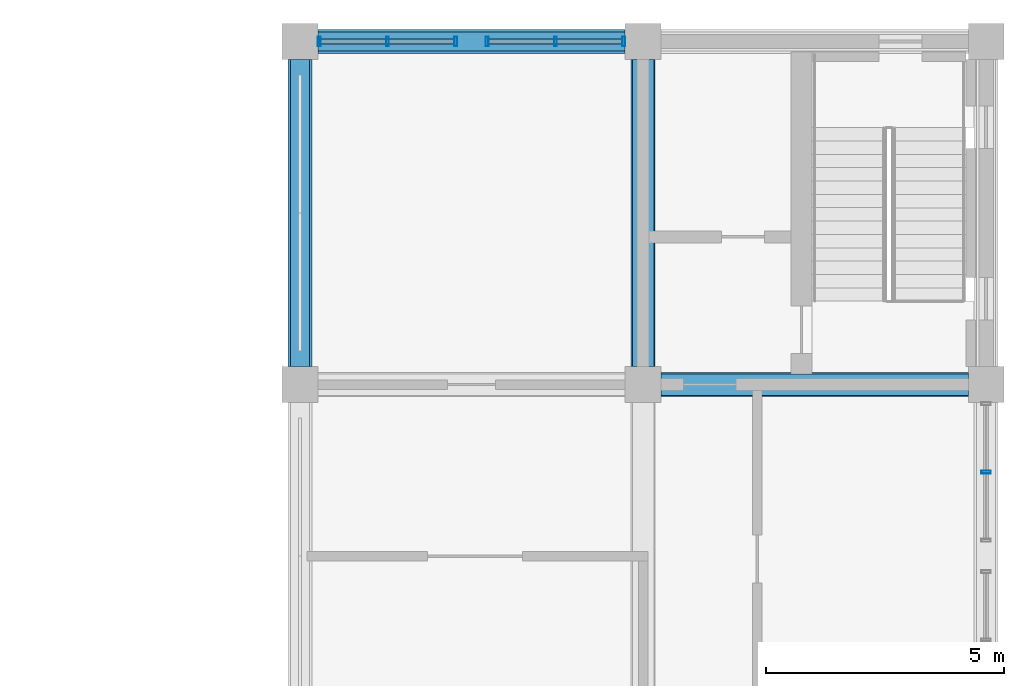
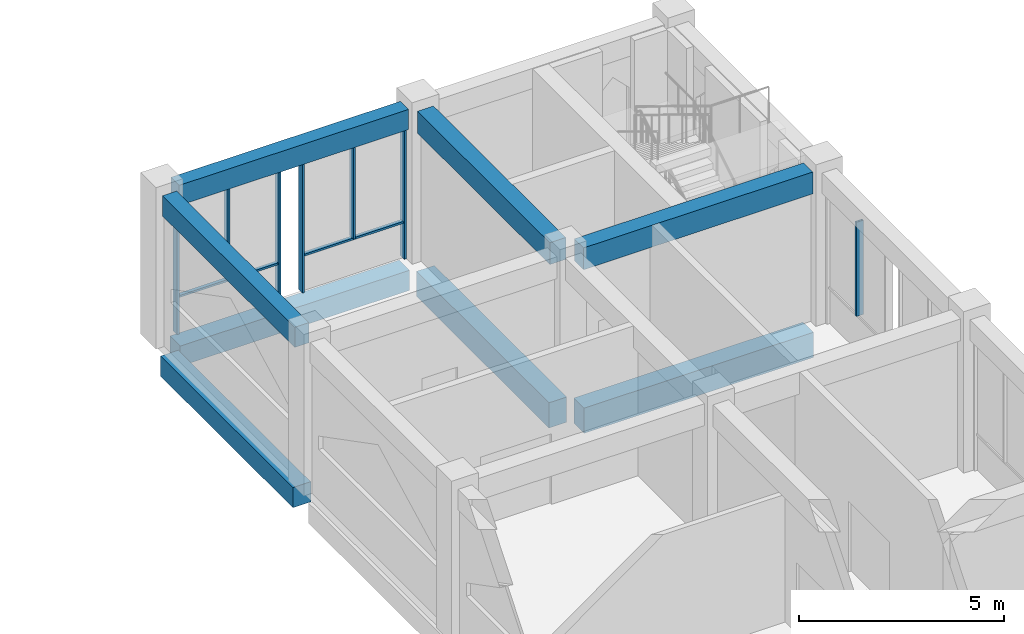
# One storey, part 22 of 39: 9 members, 8 beams, 3 elements without a shape of their own.
"""IFC4 building model written with IfcOpenShell, lengths in metres."""

from ifc_helpers import new_model, si_unit, direction, frame, origin, origin_2d, place, context, subcontext, project, spatial, rectangle, hollow_rectangle, extrude, material, material_profile, profile_set, type_object, element, aggregate, save


model = new_model("IFC4")

# Units and contexts
model_context = context("Model", 3, precision=1e-05, world=origin(), true_north=direction((0.0, 1.0)))
body_context = subcontext(model_context, "Body", "Model", "MODEL_VIEW")
ifc_project = project(units=[si_unit("LENGTHUNIT", "METRE"), si_unit("AREAUNIT", "SQUARE_METRE"), si_unit("VOLUMEUNIT", "CUBIC_METRE"), si_unit("PLANEANGLEUNIT", "RADIAN"), si_unit("MASSUNIT", "GRAM", prefix="KILO")], contexts=[model_context])

# Site, building, storey
site_placement = place(None, origin())
site = spatial("IfcSite", under=ifc_project, at=site_placement, CompositionType="ELEMENT")
building_placement = place(site_placement, origin())
building = spatial("IfcBuilding", under=site, at=building_placement, Name="Silangan Lancet Faculty of Sciences", CompositionType="ELEMENT")
storey_placement = place(building_placement, frame((0.0, 0.0, 26.39990234375)))
storey = spatial("IfcBuildingStorey", under=building, at=storey_placement, Name="L05", CompositionType="ELEMENT", Elevation=26.39990234375)

# Beams
ifc_material_1 = material(Name="Concrete C40/50", Category="concrete")
ifc_material_profile_1 = material_profile(ifc_material_1, rectangle(XDim=0.39990234375, YDim=0.60009765625, at=origin_2d()), Name="RC 400x600")
ifc_profile_set_1 = profile_set([ifc_material_profile_1], Name="Concrete C40/50")
beam_type_1 = type_object("IfcBeamType", Name="BEAM RC 400x600", PredefinedType="BEAM", material=ifc_profile_set_1)
beam_1_placement = place(storey_placement, frame((72.375, 57.60009765625, 4.2001953125), z_axis=(1.0, 0.0, 0.0), x_axis=(0.0, 1.0, 0.0)))
element("IfcBeam", 1, at=beam_1_placement, inside=storey, type_object=beam_type_1, Name="RB-L05-11I-12I", PredefinedType="BEAM", context=body_context, shape_type="SweptSolid", body=[
    extrude(rectangle(XDim=0.39990234375, YDim=0.60009765625, at=origin_2d()), origin(), (0.0, 0.0, 1.0), 6.449951171875),
])
beam_2_placement = place(storey_placement, frame((72.0, 50.77490234375, 4.2001953125), z_axis=(0.0, 1.0, 0.0), x_axis=(-1.0, 0.0, 0.0)))
element("IfcBeam", 2, at=beam_2_placement, inside=storey, type_object=beam_type_1, Name="RB-L05-11H-11I", PredefinedType="BEAM", context=body_context, shape_type="SweptSolid", body=[
    extrude(rectangle(XDim=0.39990234375, YDim=0.60009765625, at=origin_2d()), origin(), (0.0, 0.0, 1.0), 6.4501953125),
])
ifc_material_2 = material(Name="Concrete C40/50", Category="concrete")
ifc_material_profile_2 = material_profile(ifc_material_2, rectangle(XDim=0.449951171875, YDim=0.64990234375, at=origin_2d()), Name="RC 450x650")
ifc_profile_set_2 = profile_set([ifc_material_profile_2], Name="Concrete C40/50")
beam_type_2 = type_object("IfcBeamType", Name="BEAM RC 450x650", PredefinedType="BEAM", material=ifc_profile_set_2)
beam_3_placement = place(storey_placement, frame((79.574951171875, 50.39990234375, 4.175048828125), z_axis=(1.0, 0.0, 0.0), x_axis=(0.0, 1.0, 0.0)))
element("IfcBeam", 3, at=beam_3_placement, inside=storey, type_object=beam_type_2, Name="RB-L05-12H-13H", PredefinedType="BEAM", context=body_context, shape_type="SweptSolid", body=[
    extrude(rectangle(XDim=0.449951171875, YDim=0.64990234375, at=origin_2d()), origin(), (0.0, 0.0, 1.0), 6.449951171875),
])
beam_4_placement = place(storey_placement, frame((79.199951171875, 50.77490234375, 4.175048828125), z_axis=(0.0, 1.0, 0.0), x_axis=(-1.0, 0.0, 0.0)))
element("IfcBeam", 4, at=beam_4_placement, inside=storey, type_object=beam_type_2, Name="RB-L05-12H-12I", PredefinedType="BEAM", context=body_context, shape_type="SweptSolid", body=[
    extrude(rectangle(XDim=0.449951171875, YDim=0.64990234375, at=origin_2d()), origin(), (0.0, 0.0, 1.0), 6.4501953125),
])
ifc_material_3 = material(Name="Concrete C40/50", Category="concrete")
ifc_material_profile_3 = material_profile(ifc_material_3, rectangle(XDim=0.5, YDim=0.60009765625, at=origin_2d()), Name="RC 500x600")
ifc_profile_set_3 = profile_set([ifc_material_profile_3], Name="Concrete C40/50")
beam_type_3 = type_object("IfcBeamType", Name="BEAM RC 500x600", PredefinedType="BEAM", material=ifc_profile_set_3)
beam_5_placement = place(storey_placement, frame((72.375, 57.60009765625, -0.5498046875), z_axis=(1.0, 0.0, 0.0), x_axis=(0.0, 1.0, 0.0)))
element("IfcBeam", 5, at=beam_5_placement, inside=storey, type_object=beam_type_3, Name="BM-L05-11I-12I", PredefinedType="BEAM", context=body_context, shape_type="SweptSolid", body=[
    extrude(rectangle(XDim=0.5, YDim=0.60009765625, at=origin_2d()), origin(), (0.0, 0.0, 1.0), 6.449951171875),
])
beam_6_placement = place(storey_placement, frame((72.0, 50.77490234375, -0.5498046875), z_axis=(0.0, 1.0, 0.0), x_axis=(-1.0, 0.0, 0.0)))
element("IfcBeam", 6, at=beam_6_placement, inside=storey, type_object=beam_type_3, Name="BM-L05-11H-11I", PredefinedType="BEAM", context=body_context, shape_type="SweptSolid", body=[
    extrude(rectangle(XDim=0.5, YDim=0.60009765625, at=origin_2d()), origin(), (0.0, 0.0, 1.0), 6.4501953125),
])
ifc_material_4 = material(Name="Concrete C40/50", Category="concrete")
ifc_material_profile_4 = material_profile(ifc_material_4, rectangle(XDim=0.5, YDim=0.75, at=origin_2d()), Name="RC 500x750")
ifc_profile_set_4 = profile_set([ifc_material_profile_4], Name="Concrete C40/50")
beam_type_4 = type_object("IfcBeamType", Name="BEAM RC 500x750", PredefinedType="BEAM", material=ifc_profile_set_4)
beam_7_placement = place(storey_placement, frame((79.574951171875, 50.39990234375, -0.625), z_axis=(1.0, 0.0, 0.0), x_axis=(0.0, 1.0, 0.0)))
element("IfcBeam", 7, at=beam_7_placement, inside=storey, type_object=beam_type_4, Name="BM-L05-12H-13H", PredefinedType="BEAM", context=body_context, shape_type="SweptSolid", body=[
    extrude(rectangle(XDim=0.5, YDim=0.75, at=origin_2d()), origin(), (0.0, 0.0, 1.0), 6.449951171875),
])
beam_8_placement = place(storey_placement, frame((79.199951171875, 50.77490234375, -0.625), z_axis=(0.0, 1.0, 0.0), x_axis=(-1.0, 0.0, 0.0)))
element("IfcBeam", 8, at=beam_8_placement, inside=storey, type_object=beam_type_4, Name="BM-L05-12H-12I", PredefinedType="BEAM", context=body_context, shape_type="SweptSolid", body=[
    extrude(rectangle(XDim=0.5, YDim=0.75, at=origin_2d()), origin(), (0.0, 0.0, 1.0), 6.4501953125),
])

# Curtain wall, member
ifc_material_5 = material(Name="Aluminium framed curtain wall with insulated glass", Category="aluminium")
curtain_wall_type = type_object("IfcCurtainWallType", Name="CW1 Commons and east block glazing", PredefinedType="NOTDEFINED", material=ifc_material_5)
curtain_wall_1_placement = place(storey_placement, origin())
curtain_wall_1 = element("IfcCurtainWall", 9, at=curtain_wall_1_placement, inside=storey, type_object=curtain_wall_type, Name="CW1 East commons L05 bay 12", PredefinedType="NOTDEFINED")
ifc_material_6 = material(Name="Aluminium 6063-T6 extrusion", Category="aluminium")
ifc_material_profile_5 = material_profile(ifc_material_6, hollow_rectangle(XDim=0.06005859375, YDim=0.199951171875, WallThickness=0.00390625, at=origin_2d()), Name="AL BOX 60x200x4")
ifc_profile_set_5 = profile_set([ifc_material_profile_5], Name="Aluminium 6063-T6 extrusion")
member_type_1 = type_object("IfcMemberType", Name="CM1 Mullion 60x200", PredefinedType="MULLION", material=ifc_profile_set_5)
member_1_placement = place(storey_placement, frame((86.39990234375, 48.5625, 1.10009765625), z_axis=(0.0, 0.0, 1.0), x_axis=(0.0, 1.0, 0.0)))
member_1 = element("IfcMember", 10, at=member_1_placement, type_object=member_type_1, Name="CW1 East commons L05 bay 12 mullion 3", PredefinedType="MULLION", context=body_context, shape_type="SweptSolid", body=[
    extrude(hollow_rectangle(XDim=0.06005859375, YDim=0.199951171875, WallThickness=0.00390625, at=origin_2d()), origin(), (0.0, 0.0, 1.0), 2.800048828125),
])
aggregate(curtain_wall_1, [member_1])

# Curtain wall, members
curtain_wall_2_placement = place(storey_placement, origin())
curtain_wall_2 = element("IfcCurtainWall", 11, at=curtain_wall_2_placement, inside=storey, type_object=curtain_wall_type, Name="CW1 East block north L05 bay 1", PredefinedType="NOTDEFINED")
member_2_placement = place(storey_placement, frame((78.794921875, 57.60009765625, 0.0), z_axis=(0.0, 0.0, 1.0), x_axis=(-1.0, 0.0, 0.0)))
member_2 = element("IfcMember", 12, at=member_2_placement, type_object=member_type_1, Name="CW1 East block north L05 bay 1 mullion 1", PredefinedType="MULLION", context=body_context, shape_type="SweptSolid", body=[
    extrude(hollow_rectangle(XDim=0.06005859375, YDim=0.199951171875, WallThickness=0.00390625, at=origin_2d()), origin(), (0.0, 0.0, 1.0), 3.900146484375),
])
member_3_placement = place(storey_placement, frame((75.93017578125, 57.60009765625, 0.0), z_axis=(0.0, 0.0, 1.0), x_axis=(-1.0, 0.0, 0.0)))
member_3 = element("IfcMember", 13, at=member_3_placement, type_object=member_type_1, Name="CW1 East block north L05 bay 1 mullion 2", PredefinedType="MULLION", context=body_context, shape_type="SweptSolid", body=[
    extrude(hollow_rectangle(XDim=0.06005859375, YDim=0.199951171875, WallThickness=0.00390625, at=origin_2d()), origin(), (0.0, 0.0, 1.0), 3.900146484375),
])
member_4_placement = place(storey_placement, frame((77.362548828125, 57.60009765625, 1.10009765625), z_axis=(0.0, 0.0, 1.0), x_axis=(-1.0, 0.0, 0.0)))
member_4 = element("IfcMember", 14, at=member_4_placement, type_object=member_type_1, Name="CW1 East block north L05 bay 1 mullion 3", PredefinedType="MULLION", context=body_context, shape_type="SweptSolid", body=[
    extrude(hollow_rectangle(XDim=0.06005859375, YDim=0.199951171875, WallThickness=0.00390625, at=origin_2d()), origin(), (0.0, 0.0, 1.0), 2.800048828125),
])

curtain_wall_3_placement = place(storey_placement, origin())
curtain_wall_3 = element("IfcCurtainWall", 15, at=curtain_wall_3_placement, inside=storey, type_object=curtain_wall_type, Name="CW1 East block north L05 bay 2", PredefinedType="NOTDEFINED")
member_5_placement = place(storey_placement, frame((75.27001953125, 57.60009765625, 0.0), z_axis=(0.0, 0.0, 1.0), x_axis=(-1.0, 0.0, 0.0)))
member_5 = element("IfcMember", 16, at=member_5_placement, type_object=member_type_1, Name="CW1 East block north L05 bay 2 mullion 1", PredefinedType="MULLION", context=body_context, shape_type="SweptSolid", body=[
    extrude(hollow_rectangle(XDim=0.06005859375, YDim=0.199951171875, WallThickness=0.00390625, at=origin_2d()), origin(), (0.0, 0.0, 1.0), 3.900146484375),
])
member_6_placement = place(storey_placement, frame((72.405029296875, 57.60009765625, 0.0), z_axis=(0.0, 0.0, 1.0), x_axis=(-1.0, 0.0, 0.0)))
member_6 = element("IfcMember", 17, at=member_6_placement, type_object=member_type_1, Name="CW1 East block north L05 bay 2 mullion 2", PredefinedType="MULLION", context=body_context, shape_type="SweptSolid", body=[
    extrude(hollow_rectangle(XDim=0.06005859375, YDim=0.199951171875, WallThickness=0.00390625, at=origin_2d()), origin(), (0.0, 0.0, 1.0), 3.900146484375),
])
member_7_placement = place(storey_placement, frame((73.837646484375, 57.60009765625, 1.10009765625), z_axis=(0.0, 0.0, 1.0), x_axis=(-1.0, 0.0, 0.0)))
member_7 = element("IfcMember", 18, at=member_7_placement, type_object=member_type_1, Name="CW1 East block north L05 bay 2 mullion 3", PredefinedType="MULLION", context=body_context, shape_type="SweptSolid", body=[
    extrude(hollow_rectangle(XDim=0.06005859375, YDim=0.199951171875, WallThickness=0.00390625, at=origin_2d()), origin(), (0.0, 0.0, 1.0), 2.800048828125),
])

# Member
ifc_material_7 = material(Name="Aluminium 6063-T6 extrusion", Category="aluminium")
ifc_material_profile_6 = material_profile(ifc_material_7, hollow_rectangle(XDim=0.10009765625, YDim=0.06005859375, WallThickness=0.0029296875, at=origin_2d()), Name="AL BOX 100x60x3")
ifc_profile_set_6 = profile_set([ifc_material_profile_6], Name="Aluminium 6063-T6 extrusion")
member_type_2 = type_object("IfcMemberType", Name="CT1 Transom 100x60", PredefinedType="USERDEFINED", material=ifc_profile_set_6)
member_8_placement = place(storey_placement, frame((78.764892578125, 57.60009765625, 1.070068359375), z_axis=(-1.0, 0.0, 0.0), x_axis=(0.0, -1.0, 0.0)))
member_8 = element("IfcMember", 19, at=member_8_placement, type_object=member_type_2, Name="CW1 East block north L05 bay 1 transom 1", ObjectType="TRANSOM", PredefinedType="USERDEFINED", context=body_context, shape_type="SweptSolid", body=[
    extrude(hollow_rectangle(XDim=0.10009765625, YDim=0.06005859375, WallThickness=0.0029296875, at=origin_2d()), origin(), (0.0, 0.0, 1.0), 2.8046875),
])

aggregate(curtain_wall_2, [member_2, member_3, member_4, member_8])

member_9_placement = place(storey_placement, frame((75.239990234375, 57.60009765625, 1.070068359375), z_axis=(-1.0, 0.0, 0.0), x_axis=(0.0, -1.0, 0.0)))
member_9 = element("IfcMember", 20, at=member_9_placement, type_object=member_type_2, Name="CW1 East block north L05 bay 2 transom 1", ObjectType="TRANSOM", PredefinedType="USERDEFINED", context=body_context, shape_type="SweptSolid", body=[
    extrude(hollow_rectangle(XDim=0.10009765625, YDim=0.06005859375, WallThickness=0.0029296875, at=origin_2d()), origin(), (0.0, 0.0, 1.0), 2.804931640625),
])

aggregate(curtain_wall_3, [member_5, member_6, member_7, member_9])

save(model, "model.ifc")
